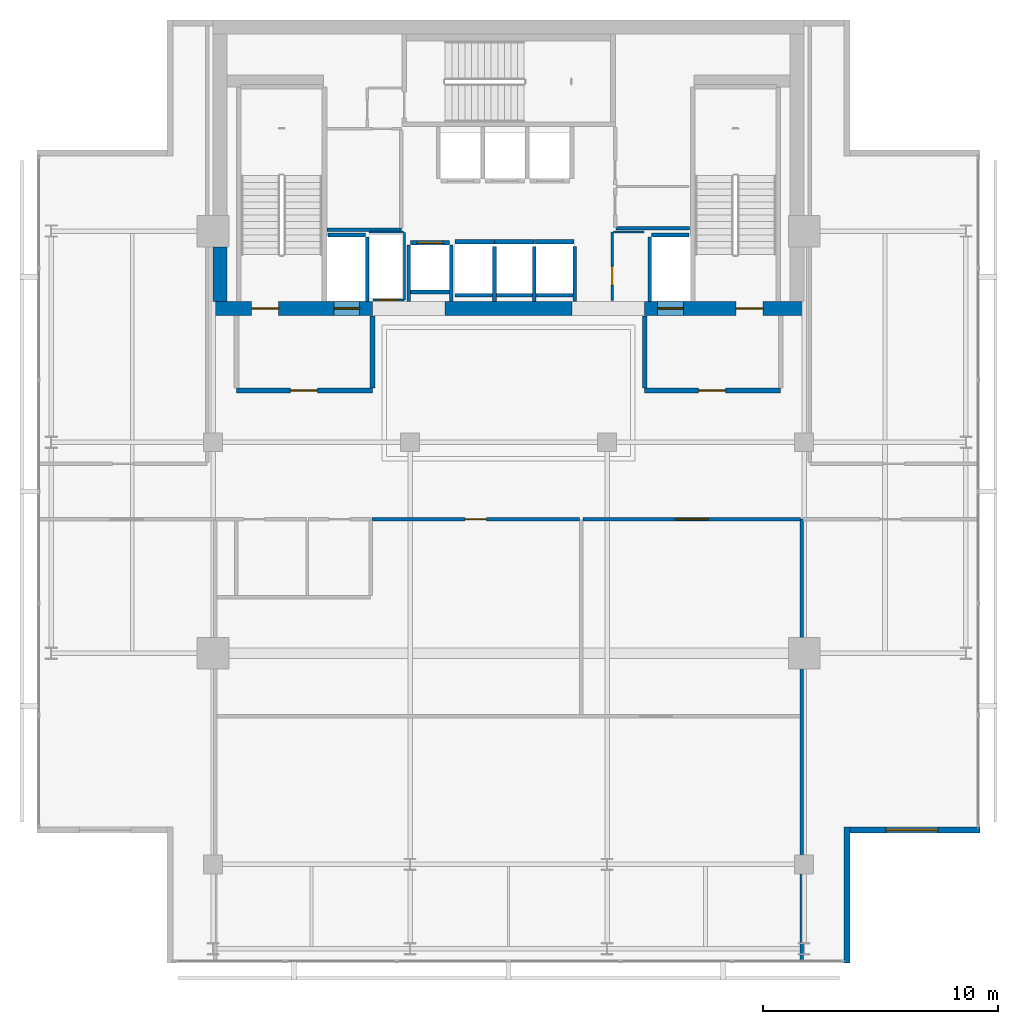
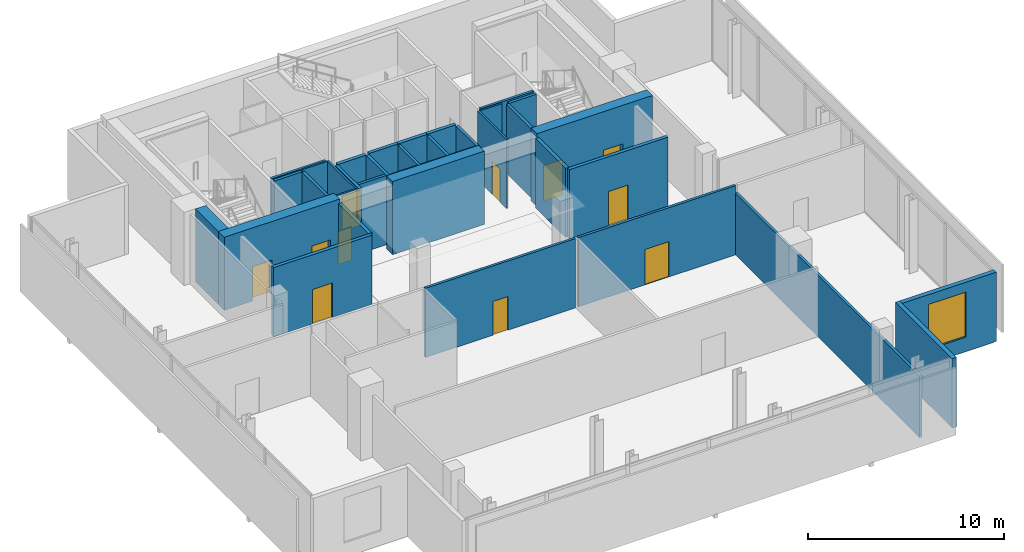
# One storey, part 17 of 23: 35 walls, 11 doors, 1 window, 12 openings.
"""IFC4 building model written with IfcOpenShell, lengths in metres."""

from ifc_helpers import new_model, si_unit, direction, frame, frame_2d, origin, place, context, subcontext, project, spatial, rectangle, extrude, material, layer, layer_set, type_object, element, fill, save


model = new_model("IFC4")

# Units and contexts
model_context = context("Model", 3, precision=1e-05, world=origin(), true_north=direction((0.0, 1.0)))
body_context = subcontext(model_context, "Body", "Model", "MODEL_VIEW")
ifc_project = project(units=[si_unit("LENGTHUNIT", "METRE"), si_unit("AREAUNIT", "SQUARE_METRE"), si_unit("VOLUMEUNIT", "CUBIC_METRE"), si_unit("PLANEANGLEUNIT", "RADIAN"), si_unit("MASSUNIT", "GRAM", prefix="KILO")], contexts=[model_context])

# Site, building, storey
site_placement = place(None, origin())
site = spatial("IfcSite", under=ifc_project, at=site_placement, CompositionType="ELEMENT")
building_placement = place(site_placement, origin())
building = spatial("IfcBuilding", under=site, at=building_placement, Name="Maruvema Waterfront Hotel and Observation Tower", CompositionType="ELEMENT")
storey_placement = place(building_placement, frame((0.0, 0.0, 345.10009765625)))
storey = spatial("IfcBuildingStorey", under=building, at=storey_placement, Name="L85", CompositionType="ELEMENT", Elevation=345.10009765625)

# Walls
ifc_material_1 = material(Name="Twin-stud acoustic gypsum drywall", Category="gypsum")
ifc_layer_1 = layer(ifc_material_1, 0.14990234375, Name="Acoustic Corridor and Suite Demising Wall 150 mm")
ifc_layer_set_1 = layer_set([ifc_layer_1], Name="Twin-stud acoustic gypsum drywall")
wall_type_1 = type_object("IfcWallType", Name="Acoustic Corridor and Suite Demising Wall 150 mm", PredefinedType="PARTITIONING", material=ifc_layer_set_1)
wall_1_placement = place(storey_placement, frame((30.06005859375, 45.06005859375, 0.0), z_axis=(0.0, 0.0, 1.0), x_axis=(1.0, 0.0, 0.0)))
element("IfcWall", 1, at=wall_1_placement, inside=storey, type_object=wall_type_1, Name="L85 Freed B1 South Wall 012", PredefinedType="PARTITIONING", context=body_context, shape_type="SweptSolid", body=[
    extrude(rectangle(XDim=3.179931640625, YDim=0.14990234375, at=frame_2d((1.58984375, 0.0))), origin(), (0.0, 0.0, 1.0), 4.309814453125),
])
wall_2_placement = place(storey_placement, frame((42.3798828125, 45.1201171875, 0.0), z_axis=(0.0, 0.0, 1.0), x_axis=(1.0, 0.0, 0.0)))
element("IfcWall", 2, at=wall_2_placement, inside=storey, type_object=wall_type_1, Name="L85 Freed B2 South Wall 020", PredefinedType="PARTITIONING", context=body_context, shape_type="SweptSolid", body=[
    extrude(rectangle(XDim=3.14013671875, YDim=0.14990234375, at=frame_2d((1.570068359375, 0.0))), origin(), (0.0, 0.0, 1.0), 4.309814453125),
])
wall_3_placement = place(storey_placement, frame((50.300048828125, 13.8798828125, 0.0), z_axis=(0.0, 0.0, 1.0), x_axis=(0.0, 1.0, 0.0)))
element("IfcWall", 3, at=wall_3_placement, inside=storey, type_object=wall_type_1, Name="L85 L85 East Spine 030", PredefinedType="PARTITIONING", context=body_context, shape_type="SweptSolid", body=[
    extrude(rectangle(XDim=18.840087890625, YDim=0.14990234375, at=frame_2d((9.419921875, 0.0))), origin(), (0.0, 0.0, 1.0), 3.8408203125),
])

# Wall, opening, door
wall_4_placement = place(storey_placement, frame((31.97998046875, 32.719970703125, 0.0), z_axis=(0.0, 0.0, 1.0), x_axis=(1.0, 0.0, 0.0)))
wall_4 = element("IfcWall", 4, at=wall_4_placement, inside=storey, type_object=wall_type_1, Name="L85 L85 Wine North 032", PredefinedType="PARTITIONING", context=body_context, shape_type="SweptSolid", body=[
    extrude(rectangle(XDim=8.840087890625, YDim=0.14990234375, at=frame_2d((4.419921875, 0.0))), origin(), (0.0, 0.0, 1.0), 4.309814453125),
])
opening_1_placement = place(wall_4_placement, frame((3.969970703125, 0.0, 0.0)))
opening_1 = element("IfcOpeningElement", 5, at=opening_1_placement, cuts=wall_4, Name="Opening DR-090", PredefinedType="OPENING", context=body_context, shape_type="SweptSolid", body=[
    extrude(rectangle(XDim=0.89990234375, YDim=2.10009765625, at=frame_2d((0.449951171875, 1.050048828125))), frame((0.0, 0.0849609375, 0.0), z_axis=(0.0, -1.0, 0.0), x_axis=(1.0, 0.0, 0.0)), (0.0, 0.0, 1.0), 0.169921875),
])
ifc_material_2 = material(Name="Solid-core lacquered timber leaf", Category="wood")
door_type_1 = type_object("IfcDoorType", Name="Accessible Toilet and Room Door 900x2100 mm", OperationType="NOTDEFINED", PredefinedType="DOOR", material=ifc_material_2)
door_1_placement = place(opening_1_placement, origin())
door_1 = element("IfcDoor", 6, at=door_1_placement, inside=storey, type_object=door_type_1, Name="L85 Wine Cellar Door", OperationType="SINGLE_SWING_RIGHT", OverallHeight=2.10009765625, OverallWidth=0.89990234375, PredefinedType="DOOR", context=body_context, shape_type="SweptSolid", body=[
    extrude(rectangle(XDim=0.89990234375, YDim=2.10009765625, at=frame_2d((0.449951171875, 1.050048828125))), frame((0.0, 0.02490234375, 0.0), z_axis=(0.0, -1.0, 0.0), x_axis=(1.0, 0.0, 0.0)), (0.0, 0.0, 1.0), 0.050048828125),
])
fill(opening_1, door_1)

wall_5_placement = place(storey_placement, frame((40.97998046875, 32.719970703125, 0.0), z_axis=(0.0, 0.0, 1.0), x_axis=(1.0, 0.0, 0.0)))
wall_5 = element("IfcWall", 7, at=wall_5_placement, inside=storey, type_object=wall_type_1, Name="L85 L85 Tasting North 033", PredefinedType="PARTITIONING", context=body_context, shape_type="SweptSolid", body=[
    extrude(rectangle(XDim=9.27001953125, YDim=0.14990234375, at=frame_2d((4.635009765625, 0.0))), origin(), (0.0, 0.0, 1.0), 4.309814453125),
])
opening_2_placement = place(wall_5_placement, frame((3.93505859375, 0.0, 0.0)))
opening_2 = element("IfcOpeningElement", 8, at=opening_2_placement, cuts=wall_5, Name="Opening DR-140", PredefinedType="OPENING", context=body_context, shape_type="SweptSolid", body=[
    extrude(rectangle(XDim=1.39990234375, YDim=2.199951171875, at=frame_2d((0.699951171875, 1.10009765625))), frame((0.0, 0.0849609375, 0.0), z_axis=(0.0, -1.0, 0.0), x_axis=(1.0, 0.0, 0.0)), (0.0, 0.0, 1.0), 0.169921875),
])
ifc_material_3 = material(Name="Anodised bronze framed acoustic glass leaf", Category="glass")
door_type_2 = type_object("IfcDoorType", Name="Conference and Restaurant Double Door 1400x2200 mm", OperationType="DOUBLE_DOOR_SINGLE_SWING", PredefinedType="DOOR", material=ifc_material_3)
door_2_placement = place(opening_2_placement, origin())
door_2 = element("IfcDoor", 9, at=door_2_placement, inside=storey, type_object=door_type_2, Name="L85 Chef Tasting Door", OperationType="DOUBLE_DOOR_SINGLE_SWING", OverallHeight=2.199951171875, OverallWidth=1.39990234375, PredefinedType="DOOR", context=body_context, shape_type="SweptSolid", body=[
    extrude(rectangle(XDim=1.39990234375, YDim=2.199951171875, at=frame_2d((0.699951171875, 1.10009765625))), frame((0.0, 0.02490234375, 0.0), z_axis=(0.0, -1.0, 0.0), x_axis=(1.0, 0.0, 0.0)), (0.0, 0.0, 1.0), 0.050048828125),
])
fill(opening_2, door_2)

# Walls
ifc_material_4 = material(Name="Precast concrete C45/55", Category="concrete")
ifc_layer_2 = layer(ifc_material_4, 0.199951171875, Name="Core Shaft and Stairwell Enclosure Wall 200 mm")
ifc_layer_set_2 = layer_set([ifc_layer_2], Name="Precast concrete C45/55")
wall_type_2 = type_object("IfcWallType", Name="Core Shaft and Stairwell Enclosure Wall 200 mm", PredefinedType="SOLIDWALL", material=ifc_layer_set_2)
for number, where, z_axis, x_axis, name in (
    (10, (35.510009765625, 44.550048828125, 0.0), (0.0, 0.0, 1.0), (1.0, 0.0, 0.0), "L85 Lift LF-09 Hoistway Front Wall"),
    (11, (37.2099609375, 44.550048828125, 0.0), (0.0, 0.0, 1.0), (1.0, 0.0, 0.0), "L85 Lift LF-10 Hoistway Front Wall"),
):
    element("IfcWall", number, at=place(storey_placement, frame(where, z_axis=z_axis, x_axis=x_axis)), inside=storey, type_object=wall_type_2, Name=name, PredefinedType="SOLIDWALL", context=body_context, shape_type="SweptSolid", body=[
        extrude(rectangle(XDim=1.679931640625, YDim=0.199951171875, at=frame_2d((0.83984375, 0.0))), origin(), (0.0, 0.0, 1.0), 4.309814453125),
    ])
wall_6_placement = place(storey_placement, frame((38.909912109375, 44.550048828125, 0.0), z_axis=(0.0, 0.0, 1.0), x_axis=(1.0, 0.0, 0.0)))
element("IfcWall", 12, at=wall_6_placement, inside=storey, type_object=wall_type_2, Name="L85 Lift LF-11 Hoistway Front Wall", PredefinedType="SOLIDWALL", context=body_context, shape_type="SweptSolid", body=[
    extrude(rectangle(XDim=1.68017578125, YDim=0.199951171875, at=frame_2d((0.840087890625, 0.0))), origin(), (0.0, 0.0, 1.0), 4.309814453125),
])

# Wall, opening, door
wall_7_placement = place(storey_placement, frame((33.610107421875, 44.5, 0.0), z_axis=(0.0, 0.0, 1.0), x_axis=(1.0, 0.0, 0.0)))
wall_7 = element("IfcWall", 13, at=wall_7_placement, inside=storey, type_object=wall_type_2, Name="L85 Lift LF-15 Hoistway Front Wall", PredefinedType="SOLIDWALL", context=body_context, shape_type="SweptSolid", body=[
    extrude(rectangle(XDim=1.679931640625, YDim=0.199951171875, at=frame_2d((0.83984375, 0.0))), origin(), (0.0, 0.0, 1.0), 4.309814453125),
])
opening_3_placement = place(wall_7_placement, frame((0.2900390625, 0.0, 0.0)))
opening_3 = element("IfcOpeningElement", 14, at=opening_3_placement, cuts=wall_7, Name="Opening LD-02", PredefinedType="OPENING", context=body_context, shape_type="SweptSolid", body=[
    extrude(rectangle(XDim=1.10009765625, YDim=2.199951171875, at=frame_2d((0.550048828125, 1.10009765625))), frame((0.0, 0.10986328125, 0.0), z_axis=(0.0, -1.0, 0.0), x_axis=(1.0, 0.0, 0.0)), (0.0, 0.0, 1.0), 0.219970703125),
])
ifc_material_5 = material(Name="Brushed stainless steel Grade 316", Category="steel")
door_type_3 = type_object("IfcDoorType", Name="Shuttle Lift Sliding Landing Door 1100x2200 mm", OperationType="SLIDING_TO_RIGHT", PredefinedType="DOOR", material=ifc_material_5)
door_3_placement = place(opening_3_placement, origin())
door_3 = element("IfcDoor", 15, at=door_3_placement, inside=storey, type_object=door_type_3, Name="L85 Lift LF-15 Sliding Landing Door", OperationType="SLIDING_TO_RIGHT", OverallHeight=2.199951171875, OverallWidth=1.10009765625, PredefinedType="DOOR", context=body_context, shape_type="SweptSolid", body=[
    extrude(rectangle(XDim=1.10009765625, YDim=2.199951171875, at=frame_2d((0.550048828125, 1.10009765625))), frame((0.0, 0.02490234375, 0.0), z_axis=(0.0, -1.0, 0.0), x_axis=(1.0, 0.0, 0.0)), (0.0, 0.0, 1.0), 0.050048828125),
])
fill(opening_3, door_3)

# Wall, openings, doors
ifc_material_6 = material(Name="Concrete C60/75", Category="concrete")
ifc_layer_3 = layer(ifc_material_6, 0.60009765625, Name="Core Shear Wall 600 mm")
ifc_layer_set_3 = layer_set([ifc_layer_3], Name="Concrete C60/75")
wall_type_3 = type_object("IfcWallType", Name="Core Shear Wall 600 mm", PredefinedType="SHEAR", material=ifc_layer_set_3)
wall_8_placement = place(storey_placement, frame((25.199951171875, 41.699951171875, 0.0), z_axis=(0.0, 0.0, 1.0), x_axis=(1.0, 0.0, 0.0)))
wall_8 = element("IfcWall", 16, at=wall_8_placement, inside=storey, type_object=wall_type_3, Name="L85 South-West Core Shear Wall", PredefinedType="SHEAR", context=body_context, shape_type="SweptSolid", body=[
    extrude(rectangle(XDim=6.800048828125, YDim=0.60009765625, at=frame_2d((3.39990234375, 0.0))), origin(), (0.0, 0.0, 1.0), 4.5498046875),
])
opening_4_placement = place(wall_8_placement, frame((1.64990234375, 0.0, 0.0)))
opening_4 = element("IfcOpeningElement", 17, at=opening_4_placement, cuts=wall_8, Name="Opening SD-01", PredefinedType="OPENING", context=body_context, shape_type="SweptSolid", body=[
    extrude(rectangle(XDim=1.14990234375, YDim=2.14990234375, at=frame_2d((0.574951171875, 1.074951171875))), frame((0.0, 0.31005859375, 0.0), z_axis=(0.0, -1.0, 0.0), x_axis=(1.0, 0.0, 0.0)), (0.0, 0.0, 1.0), 0.6201171875),
])
opening_5_placement = place(wall_8_placement, frame((5.14990234375, 0.0, 0.0)))
opening_5 = element("IfcOpeningElement", 18, at=opening_5_placement, cuts=wall_8, Name="Opening LD-03", PredefinedType="OPENING", context=body_context, shape_type="SweptSolid", body=[
    extrude(rectangle(XDim=1.10009765625, YDim=2.199951171875, at=frame_2d((0.550048828125, 1.10009765625))), frame((0.0, 0.31005859375, 0.0), z_axis=(0.0, -1.0, 0.0), x_axis=(1.0, 0.0, 0.0)), (0.0, 0.0, 1.0), 0.6201171875),
])
ifc_material_7 = material(Name="Fire-rated galvanised steel leaf", Category="steel")
door_type_4 = type_object("IfcDoorType", Name="Exit Stair Fire Door 1150x2150 mm", OperationType="NOTDEFINED", PredefinedType="DOOR", material=ifc_material_7)
door_4_placement = place(opening_4_placement, origin())
door_4 = element("IfcDoor", 19, at=door_4_placement, inside=storey, type_object=door_type_4, Name="L85 Exit Stair ST-01 Fire Door", OperationType="SINGLE_SWING_LEFT", OverallHeight=2.14990234375, OverallWidth=1.14990234375, PredefinedType="DOOR", context=body_context, shape_type="SweptSolid", body=[
    extrude(rectangle(XDim=1.14990234375, YDim=2.14990234375, at=frame_2d((0.574951171875, 1.074951171875))), frame((0.0, 0.02490234375, 0.0), z_axis=(0.0, -1.0, 0.0), x_axis=(1.0, 0.0, 0.0)), (0.0, 0.0, 1.0), 0.050048828125),
])
fill(opening_4, door_4)
ifc_material_8 = material(Name="Brushed stainless steel Grade 316", Category="steel")
door_type_5 = type_object("IfcDoorType", Name="Firefighting Lift Sliding Landing Door 1100x2200 mm", OperationType="SLIDING_TO_LEFT", PredefinedType="DOOR", material=ifc_material_8)
door_5_placement = place(opening_5_placement, frame((1.10009765625, 0.0, 0.0), z_axis=(0.0, 0.0, 1.0), x_axis=(-1.0, 0.0, 0.0)))
door_5 = element("IfcDoor", 20, at=door_5_placement, inside=storey, type_object=door_type_5, Name="L85 Firefighting Lift FL-01 Landing Door", OperationType="SLIDING_TO_LEFT", OverallHeight=2.199951171875, OverallWidth=1.10009765625, PredefinedType="DOOR", context=body_context, shape_type="SweptSolid", body=[
    extrude(rectangle(XDim=1.10009765625, YDim=2.199951171875, at=frame_2d((0.550048828125, 1.10009765625))), frame((0.0, 0.02490234375, 0.0), z_axis=(0.0, -1.0, 0.0), x_axis=(1.0, 0.0, 0.0)), (0.0, 0.0, 1.0), 0.050048828125),
])
fill(opening_5, door_5)

# Wall
wall_9_placement = place(storey_placement, frame((35.10009765625, 41.699951171875, 0.0), z_axis=(0.0, 0.0, 1.0), x_axis=(1.0, 0.0, 0.0)))
element("IfcWall", 21, at=wall_9_placement, inside=storey, type_object=wall_type_3, Name="L85 South-Central Core Shear Wall", PredefinedType="SHEAR", context=body_context, shape_type="SweptSolid", body=[
    extrude(rectangle(XDim=5.39990234375, YDim=0.60009765625, at=frame_2d((2.699951171875, 0.0))), origin(), (0.0, 0.0, 1.0), 4.5498046875),
])

# Wall, openings, doors
wall_10_placement = place(storey_placement, frame((43.60009765625, 41.699951171875, 0.0), z_axis=(0.0, 0.0, 1.0), x_axis=(1.0, 0.0, 0.0)))
wall_10 = element("IfcWall", 22, at=wall_10_placement, inside=storey, type_object=wall_type_3, Name="L85 South-East Core Shear Wall", PredefinedType="SHEAR", context=body_context, shape_type="SweptSolid", body=[
    extrude(rectangle(XDim=6.7998046875, YDim=0.60009765625, at=frame_2d((3.39990234375, 0.0))), origin(), (0.0, 0.0, 1.0), 4.5498046875),
])
opening_6_placement = place(wall_10_placement, frame((3.89990234375, 0.0, 0.0)))
opening_6 = element("IfcOpeningElement", 23, at=opening_6_placement, cuts=wall_10, Name="Opening SD-01", PredefinedType="OPENING", context=body_context, shape_type="SweptSolid", body=[
    extrude(rectangle(XDim=1.14990234375, YDim=2.14990234375, at=frame_2d((0.574951171875, 1.074951171875))), frame((0.0, 0.31005859375, 0.0), z_axis=(0.0, -1.0, 0.0), x_axis=(1.0, 0.0, 0.0)), (0.0, 0.0, 1.0), 0.6201171875),
])
opening_7_placement = place(wall_10_placement, frame((0.550048828125, 0.0, 0.0)))
opening_7 = element("IfcOpeningElement", 24, at=opening_7_placement, cuts=wall_10, Name="Opening LD-03", PredefinedType="OPENING", context=body_context, shape_type="SweptSolid", body=[
    extrude(rectangle(XDim=1.10009765625, YDim=2.199951171875, at=frame_2d((0.550048828125, 1.10009765625))), frame((0.0, 0.31005859375, 0.0), z_axis=(0.0, -1.0, 0.0), x_axis=(1.0, 0.0, 0.0)), (0.0, 0.0, 1.0), 0.6201171875),
])
door_6_placement = place(opening_6_placement, origin())
door_6 = element("IfcDoor", 25, at=door_6_placement, inside=storey, type_object=door_type_4, Name="L85 Exit Stair ST-03 Fire Door", OperationType="SINGLE_SWING_RIGHT", OverallHeight=2.14990234375, OverallWidth=1.14990234375, PredefinedType="DOOR", context=body_context, shape_type="SweptSolid", body=[
    extrude(rectangle(XDim=1.14990234375, YDim=2.14990234375, at=frame_2d((0.574951171875, 1.074951171875))), frame((0.0, 0.02490234375, 0.0), z_axis=(0.0, -1.0, 0.0), x_axis=(1.0, 0.0, 0.0)), (0.0, 0.0, 1.0), 0.050048828125),
])
fill(opening_6, door_6)
door_7_placement = place(opening_7_placement, frame((1.10009765625, 0.0, 0.0), z_axis=(0.0, 0.0, 1.0), x_axis=(-1.0, 0.0, 0.0)))
door_7 = element("IfcDoor", 26, at=door_7_placement, inside=storey, type_object=door_type_5, Name="L85 Firefighting Lift FL-02 Landing Door", OperationType="SLIDING_TO_LEFT", OverallHeight=2.199951171875, OverallWidth=1.10009765625, PredefinedType="DOOR", context=body_context, shape_type="SweptSolid", body=[
    extrude(rectangle(XDim=1.10009765625, YDim=2.199951171875, at=frame_2d((0.550048828125, 1.10009765625))), frame((0.0, 0.02490234375, 0.0), z_axis=(0.0, -1.0, 0.0), x_axis=(1.0, 0.0, 0.0)), (0.0, 0.0, 1.0), 0.050048828125),
])
fill(opening_7, door_7)

# Wall
wall_11_placement = place(storey_placement, frame((25.5, 42.0, 0.0), z_axis=(0.0, 0.0, 1.0), x_axis=(0.0, 1.0, 0.0)))
element("IfcWall", 27, at=wall_11_placement, inside=storey, type_object=wall_type_3, Name="L85 West-South Core Shear Wall", PredefinedType="SHEAR", context=body_context, shape_type="SweptSolid", body=[
    extrude(rectangle(XDim=2.324951171875, YDim=0.60009765625, at=frame_2d((1.16259765625, 0.0))), origin(), (0.0, 0.0, 1.0), 4.5498046875),
])

# Wall, opening, door
ifc_material_9 = material(Name="Moisture-resistant cement-board drywall", Category="gypsum")
ifc_layer_4 = layer(ifc_material_9, 0.10009765625, Name="En-Suite Moisture-Resistant Partition 100 mm")
ifc_layer_set_4 = layer_set([ifc_layer_4], Name="Moisture-resistant cement-board drywall")
wall_type_4 = type_object("IfcWallType", Name="En-Suite Moisture-Resistant Partition 100 mm", PredefinedType="PARTITIONING", material=ifc_layer_set_4)
wall_12_placement = place(storey_placement, frame((32.02001953125, 42.06005859375, 0.0), z_axis=(0.0, 0.0, 1.0), x_axis=(1.0, 0.0, 0.0)))
wall_12 = element("IfcWall", 28, at=wall_12_placement, inside=storey, type_object=wall_type_4, Name="L85 Telecom Riser South Wall 007", PredefinedType="PARTITIONING", context=body_context, shape_type="SweptSolid", body=[
    extrude(rectangle(XDim=1.320068359375, YDim=0.10009765625, at=frame_2d((0.66015625, 0.0))), origin(), (0.0, 0.0, 1.0), 4.309814453125),
])
opening_8_placement = place(wall_12_placement, frame((0.239990234375, 0.0, 0.0)))
opening_8 = element("IfcOpeningElement", 29, at=opening_8_placement, cuts=wall_12, Name="Opening DR-080", PredefinedType="OPENING", context=body_context, shape_type="SweptSolid", body=[
    extrude(rectangle(XDim=0.800048828125, YDim=2.050048828125, at=frame_2d((0.39990234375, 1.02490234375))), frame((0.0, 0.06005859375, 0.0), z_axis=(0.0, -1.0, 0.0), x_axis=(1.0, 0.0, 0.0)), (0.0, 0.0, 1.0), 0.1201171875),
])
ifc_material_10 = material(Name="Powder-coated steel access leaf", Category="steel")
door_type_6 = type_object("IfcDoorType", Name="Riser and Service Cupboard Door 800x2050 mm", OperationType="NOTDEFINED", PredefinedType="DOOR", material=ifc_material_10)
door_8_placement = place(opening_8_placement, frame((0.800048828125, 0.0, 0.0), z_axis=(0.0, 0.0, 1.0), x_axis=(-1.0, 0.0, 0.0)))
door_8 = element("IfcDoor", 30, at=door_8_placement, inside=storey, type_object=door_type_6, Name="L85 Telecom Riser Door", OperationType="SINGLE_SWING_RIGHT", OverallHeight=2.050048828125, OverallWidth=0.800048828125, PredefinedType="DOOR", context=body_context, shape_type="SweptSolid", body=[
    extrude(rectangle(XDim=0.800048828125, YDim=2.050048828125, at=frame_2d((0.39990234375, 1.02490234375))), frame((0.0, 0.02490234375, 0.0), z_axis=(0.0, -1.0, 0.0), x_axis=(1.0, 0.0, 0.0)), (0.0, 0.0, 1.0), 0.050048828125),
])
fill(opening_8, door_8)

# Walls
wall_13_placement = place(storey_placement, frame((31.840087890625, 44.9599609375, 0.0), z_axis=(0.0, 0.0, 1.0), x_axis=(1.0, 0.0, 0.0)))
element("IfcWall", 31, at=wall_13_placement, inside=storey, type_object=wall_type_4, Name="L85 Telecom Riser North Wall 008", PredefinedType="PARTITIONING", context=body_context, shape_type="SweptSolid", body=[
    extrude(rectangle(XDim=1.47998046875, YDim=0.10009765625, at=frame_2d((0.739990234375, 0.0))), origin(), (0.0, 0.0, 1.0), 4.309814453125),
])
wall_14_placement = place(storey_placement, frame((33.360107421875, 42.06005859375, 0.0), z_axis=(0.0, 0.0, 1.0), x_axis=(0.0, 1.0, 0.0)))
element("IfcWall", 32, at=wall_14_placement, inside=storey, type_object=wall_type_4, Name="L85 Telecom Riser East Wall 009", PredefinedType="PARTITIONING", context=body_context, shape_type="SweptSolid", body=[
    extrude(rectangle(XDim=2.8798828125, YDim=0.10009765625, at=frame_2d((1.43994140625, 0.0))), origin(), (0.0, 0.0, 1.0), 4.309814453125),
])

# Wall, opening, door
wall_15_placement = place(storey_placement, frame((42.219970703125, 42.050048828125, 0.0), z_axis=(0.0, 0.0, 1.0), x_axis=(0.0, 1.0, 0.0)))
wall_15 = element("IfcWall", 33, at=wall_15_placement, inside=storey, type_object=wall_type_4, Name="L85 Core Closet K1 West 010", PredefinedType="PARTITIONING", context=body_context, shape_type="SweptSolid", body=[
    extrude(rectangle(XDim=2.909912109375, YDim=0.10009765625, at=frame_2d((1.455078125, 0.0))), origin(), (0.0, 0.0, 1.0), 4.309814453125),
])
opening_9_placement = place(wall_15_placement, frame((0.64990234375, 0.0, 0.0)))
opening_9 = element("IfcOpeningElement", 34, at=opening_9_placement, cuts=wall_15, Name="Opening DR-080", PredefinedType="OPENING", context=body_context, shape_type="SweptSolid", body=[
    extrude(rectangle(XDim=0.800048828125, YDim=2.050048828125, at=frame_2d((0.39990234375, 1.02490234375))), frame((0.0, 0.06005859375, 0.0), z_axis=(0.0, -1.0, 0.0), x_axis=(1.0, 0.0, 0.0)), (0.0, 0.0, 1.0), 0.1201171875),
])
door_9_placement = place(opening_9_placement, frame((0.800048828125, 0.0, 0.0), z_axis=(0.0, 0.0, 1.0), x_axis=(-1.0, 0.0, 0.0)))
door_9 = element("IfcDoor", 35, at=door_9_placement, inside=storey, type_object=door_type_6, Name="L85 Core Cleaning Store Door", OperationType="SINGLE_SWING_LEFT", OverallHeight=2.050048828125, OverallWidth=0.800048828125, PredefinedType="DOOR", context=body_context, shape_type="SweptSolid", body=[
    extrude(rectangle(XDim=0.800048828125, YDim=2.050048828125, at=frame_2d((0.39990234375, 1.02490234375))), frame((0.0, 0.02490234375, 0.0), z_axis=(0.0, -1.0, 0.0), x_axis=(1.0, 0.0, 0.0)), (0.0, 0.0, 1.0), 0.050048828125),
])
fill(opening_9, door_9)

# Walls
wall_16_placement = place(storey_placement, frame((42.280029296875, 44.9599609375, 0.0), z_axis=(0.0, 0.0, 1.0), x_axis=(1.0, 0.0, 0.0)))
element("IfcWall", 36, at=wall_16_placement, inside=storey, type_object=wall_type_4, Name="L85 Core Closet K1 North 011", PredefinedType="PARTITIONING", context=body_context, shape_type="SweptSolid", body=[
    extrude(rectangle(XDim=1.300048828125, YDim=0.10009765625, at=frame_2d((0.64990234375, 0.0))), origin(), (0.0, 0.0, 1.0), 4.309814453125),
])
ifc_material_11 = material(Name="Precast concrete C45/55 with honed Pernambuco granite facing", Category="masonry")
ifc_layer_5 = layer(ifc_material_11, 0.260009765625, Name="Exterior Granite Clad Spandrel and Pier Wall 260 mm")
ifc_layer_set_5 = layer_set([ifc_layer_5], Name="Precast concrete C45/55 with honed Pernambuco granite facing")
wall_type_5 = type_object("IfcWallType", Name="Exterior Granite Clad Spandrel and Pier Wall 260 mm", PredefinedType="SOLIDWALL", material=ifc_layer_set_5)
wall_17_placement = place(storey_placement, frame((52.22998046875, 19.60009765625, 0.0), z_axis=(0.0, 0.0, 1.0), x_axis=(0.0, -1.0, 0.0)))
element("IfcWall", 37, at=wall_17_placement, inside=storey, type_object=wall_type_5, Name="L85 Corner Notch Granite Pier Wall SE1", PredefinedType="SOLIDWALL", context=body_context, shape_type="SweptSolid", body=[
    extrude(rectangle(XDim=5.800048828125, YDim=0.260009765625, at=frame_2d((2.89990234375, 0.0))), origin(), (0.0, 0.0, 1.0), 4.309814453125),
])

# Wall, opening, window
wall_18_placement = place(storey_placement, frame((57.89990234375, 19.469970703125, 0.0), z_axis=(0.0, 0.0, 1.0), x_axis=(-1.0, 0.0, 0.0)))
wall_18 = element("IfcWall", 38, at=wall_18_placement, inside=storey, type_object=wall_type_5, Name="L85 Corner Notch Granite Pier Wall SE2", PredefinedType="SOLIDWALL", context=body_context, shape_type="SweptSolid", body=[
    extrude(rectangle(XDim=5.7998046875, YDim=0.260009765625, at=frame_2d((2.89990234375, 0.0))), origin(), (0.0, 0.0, 1.0), 4.309814453125),
])
opening_10_placement = place(wall_18_placement, frame((1.800048828125, 0.0, 0.89990234375)))
opening_10 = element("IfcOpeningElement", 39, at=opening_10_placement, cuts=wall_18, Name="Opening WN-05", PredefinedType="OPENING", context=body_context, shape_type="SweptSolid", body=[
    extrude(rectangle(XDim=2.199951171875, YDim=2.800048828125, at=frame_2d((1.10009765625, 1.39990234375))), frame((0.0, 0.14013671875, 0.0), z_axis=(0.0, -1.0, 0.0), x_axis=(1.0, 0.0, 0.0)), (0.0, 0.0, 1.0), 0.280029296875),
])
ifc_material_12 = material(Name="Anodised bronze aluminium frame with laminated low-E glass", Category="aluminium")
window_type = type_object("IfcWindowType", Name="Crown Gallery Observation Window 2200x2800 mm", PartitioningType="SINGLE_PANEL", PredefinedType="WINDOW", material=ifc_material_12)
window_placement = place(opening_10_placement, origin())
window = element("IfcWindow", 40, at=window_placement, inside=storey, type_object=window_type, Name="L85 Corner Notch Punched Window SE2", OverallHeight=2.800048828125, OverallWidth=2.199951171875, PartitioningType="SINGLE_PANEL", PredefinedType="WINDOW", context=body_context, shape_type="SweptSolid", body=[
    extrude(rectangle(XDim=2.199951171875, YDim=2.800048828125, at=frame_2d((1.10009765625, 1.39990234375))), frame((0.0, 0.030029296875, 0.0), z_axis=(0.0, -1.0, 0.0), x_axis=(1.0, 0.0, 0.0)), (0.0, 0.0, 1.0), 0.06005859375),
])
fill(opening_10, window)

# Wall, opening, door
ifc_material_13 = material(Name="Autoclaved cellular concrete blockwork", Category="masonry")
ifc_layer_6 = layer(ifc_material_13, 0.199951171875, Name="Fire Compartment Masonry Wall 200 mm")
ifc_layer_set_6 = layer_set([ifc_layer_6], Name="Autoclaved cellular concrete blockwork")
wall_type_6 = type_object("IfcWallType", Name="Fire Compartment Masonry Wall 200 mm", PredefinedType="PARTITIONING", material=ifc_layer_set_6)
wall_19_placement = place(storey_placement, frame((26.199951171875, 38.199951171875, 0.0), z_axis=(0.0, 0.0, 1.0), x_axis=(1.0, 0.0, 0.0)))
wall_19 = element("IfcWall", 41, at=wall_19_placement, inside=storey, type_object=wall_type_6, Name="L85 FFL West South Wall 001", PredefinedType="PARTITIONING", context=body_context, shape_type="SweptSolid", body=[
    extrude(rectangle(XDim=5.800048828125, YDim=0.199951171875, at=frame_2d((2.89990234375, 0.0))), origin(), (0.0, 0.0, 1.0), 4.309814453125),
])
opening_11_placement = place(wall_19_placement, frame((2.300048828125, 0.0, 0.0)))
opening_11 = element("IfcOpeningElement", 42, at=opening_11_placement, cuts=wall_19, Name="Opening FD-115", PredefinedType="OPENING", context=body_context, shape_type="SweptSolid", body=[
    extrude(rectangle(XDim=1.14990234375, YDim=2.14990234375, at=frame_2d((0.574951171875, 1.074951171875))), frame((0.0, 0.10986328125, 0.0), z_axis=(0.0, -1.0, 0.0), x_axis=(1.0, 0.0, 0.0)), (0.0, 0.0, 1.0), 0.219970703125),
])
ifc_material_14 = material(Name="Fire-rated galvanised steel and vision glass", Category="steel")
door_type_7 = type_object("IfcDoorType", Name="Firefighting Lobby Fire Door 1150x2150 mm", OperationType="NOTDEFINED", PredefinedType="DOOR", material=ifc_material_14)
door_10_placement = place(opening_11_placement, frame((1.14990234375, 0.0, 0.0), z_axis=(0.0, 0.0, 1.0), x_axis=(-1.0, 0.0, 0.0)))
door_10 = element("IfcDoor", 43, at=door_10_placement, inside=storey, type_object=door_type_7, Name="L85 Firefighting Lobby West Door", OperationType="SINGLE_SWING_RIGHT", OverallHeight=2.14990234375, OverallWidth=1.14990234375, PredefinedType="DOOR", context=body_context, shape_type="SweptSolid", body=[
    extrude(rectangle(XDim=1.14990234375, YDim=2.14990234375, at=frame_2d((0.574951171875, 1.074951171875))), frame((0.0, 0.02490234375, 0.0), z_axis=(0.0, -1.0, 0.0), x_axis=(1.0, 0.0, 0.0)), (0.0, 0.0, 1.0), 0.050048828125),
])
fill(opening_11, door_10)

# Wall
wall_20_placement = place(storey_placement, frame((32.0, 38.31005859375, 0.0), z_axis=(0.0, 0.0, 1.0), x_axis=(0.0, 1.0, 0.0)))
element("IfcWall", 44, at=wall_20_placement, inside=storey, type_object=wall_type_6, Name="L85 FFL West East Wall 003", PredefinedType="PARTITIONING", context=body_context, shape_type="SweptSolid", body=[
    extrude(rectangle(XDim=3.06982421875, YDim=0.199951171875, at=frame_2d((1.534912109375, 0.0))), origin(), (0.0, 0.0, 1.0), 4.309814453125),
])

# Wall, opening, door
wall_21_placement = place(storey_placement, frame((43.60009765625, 38.199951171875, 0.0), z_axis=(0.0, 0.0, 1.0), x_axis=(1.0, 0.0, 0.0)))
wall_21 = element("IfcWall", 45, at=wall_21_placement, inside=storey, type_object=wall_type_6, Name="L85 FFL East South Wall 004", PredefinedType="PARTITIONING", context=body_context, shape_type="SweptSolid", body=[
    extrude(rectangle(XDim=5.7998046875, YDim=0.199951171875, at=frame_2d((2.89990234375, 0.0))), origin(), (0.0, 0.0, 1.0), 4.309814453125),
])
opening_12_placement = place(wall_21_placement, frame((2.300048828125, 0.0, 0.0)))
opening_12 = element("IfcOpeningElement", 46, at=opening_12_placement, cuts=wall_21, Name="Opening FD-115", PredefinedType="OPENING", context=body_context, shape_type="SweptSolid", body=[
    extrude(rectangle(XDim=1.14990234375, YDim=2.14990234375, at=frame_2d((0.574951171875, 1.074951171875))), frame((0.0, 0.10986328125, 0.0), z_axis=(0.0, -1.0, 0.0), x_axis=(1.0, 0.0, 0.0)), (0.0, 0.0, 1.0), 0.219970703125),
])
door_11_placement = place(opening_12_placement, frame((1.14990234375, 0.0, 0.0), z_axis=(0.0, 0.0, 1.0), x_axis=(-1.0, 0.0, 0.0)))
door_11 = element("IfcDoor", 47, at=door_11_placement, inside=storey, type_object=door_type_7, Name="L85 Firefighting Lobby East Door", OperationType="SINGLE_SWING_LEFT", OverallHeight=2.14990234375, OverallWidth=1.14990234375, PredefinedType="DOOR", context=body_context, shape_type="SweptSolid", body=[
    extrude(rectangle(XDim=1.14990234375, YDim=2.14990234375, at=frame_2d((0.574951171875, 1.074951171875))), frame((0.0, 0.02490234375, 0.0), z_axis=(0.0, -1.0, 0.0), x_axis=(1.0, 0.0, 0.0)), (0.0, 0.0, 1.0), 0.050048828125),
])
fill(opening_12, door_11)

# Walls
wall_22_placement = place(storey_placement, frame((43.60009765625, 38.31005859375, 0.0), z_axis=(0.0, 0.0, 1.0), x_axis=(0.0, 1.0, 0.0)))
element("IfcWall", 48, at=wall_22_placement, inside=storey, type_object=wall_type_6, Name="L85 FFL East West Wall 005", PredefinedType="PARTITIONING", context=body_context, shape_type="SweptSolid", body=[
    extrude(rectangle(XDim=3.06982421875, YDim=0.199951171875, at=frame_2d((1.534912109375, 0.0))), origin(), (0.0, 0.0, 1.0), 4.309814453125),
])
ifc_material_15 = material(Name="Precast concrete C45/55", Category="concrete")
ifc_layer_7 = layer(ifc_material_15, 0.159912109375, Name="Lift Hoistway Divider Wall 160 mm")
ifc_layer_set_7 = layer_set([ifc_layer_7], Name="Precast concrete C45/55")
wall_type_7 = type_object("IfcWallType", Name="Lift Hoistway Divider Wall 160 mm", PredefinedType="SOLIDWALL", material=ifc_layer_set_7)
wall_23_placement = place(storey_placement, frame((30.10009765625, 44.830078125, 0.0), z_axis=(0.0, 0.0, 1.0), x_axis=(1.0, 0.0, 0.0)))
element("IfcWall", 49, at=wall_23_placement, inside=storey, type_object=wall_type_7, Name="L85 Lift FL-01 Rear Hoistway Wall", PredefinedType="SOLIDWALL", context=body_context, shape_type="SweptSolid", body=[
    extrude(rectangle(XDim=1.599853515625, YDim=0.159912109375, at=frame_2d((0.7998046875, 0.0))), origin(), (0.0, 0.0, 1.0), 4.309814453125),
])
wall_24_placement = place(storey_placement, frame((31.780029296875, 42.0, 0.0), z_axis=(0.0, 0.0, 1.0), x_axis=(0.0, 1.0, 0.0)))
element("IfcWall", 50, at=wall_24_placement, inside=storey, type_object=wall_type_7, Name="L85 Lift FL-01 Inner Hoistway Wall", PredefinedType="SOLIDWALL", context=body_context, shape_type="SweptSolid", body=[
    extrude(rectangle(XDim=2.739990234375, YDim=0.159912109375, at=frame_2d((1.3701171875, 0.0))), origin(), (0.0, 0.0, 1.0), 4.309814453125),
])
wall_25_placement = place(storey_placement, frame((43.89990234375, 44.830078125, 0.0), z_axis=(0.0, 0.0, 1.0), x_axis=(1.0, 0.0, 0.0)))
element("IfcWall", 51, at=wall_25_placement, inside=storey, type_object=wall_type_7, Name="L85 Lift FL-02 Rear Hoistway Wall", PredefinedType="SOLIDWALL", context=body_context, shape_type="SweptSolid", body=[
    extrude(rectangle(XDim=1.60009765625, YDim=0.159912109375, at=frame_2d((0.800048828125, 0.0))), origin(), (0.0, 0.0, 1.0), 4.309814453125),
])
wall_26_placement = place(storey_placement, frame((43.820068359375, 42.0, 0.0), z_axis=(0.0, 0.0, 1.0), x_axis=(0.0, 1.0, 0.0)))
element("IfcWall", 52, at=wall_26_placement, inside=storey, type_object=wall_type_7, Name="L85 Lift FL-02 Inner Hoistway Wall", PredefinedType="SOLIDWALL", context=body_context, shape_type="SweptSolid", body=[
    extrude(rectangle(XDim=2.739990234375, YDim=0.159912109375, at=frame_2d((1.3701171875, 0.0))), origin(), (0.0, 0.0, 1.0), 4.309814453125),
])
for number, where, z_axis, x_axis, name in (
    (53, (37.199951171875, 42.0, 0.0), (0.0, 0.0, 1.0), (0.0, 1.0, 0.0), "L85 Hoistway Divider Wall"),
    (54, (38.89990234375, 42.0, 0.0), (0.0, 0.0, 1.0), (0.0, 1.0, 0.0), "L85 Hoistway Divider Wall"),
    (55, (40.6201171875, 42.0, 0.0), (0.0, 0.0, 1.0), (0.0, 1.0, 0.0), "L85 Hoistway Divider Wall"),
):
    element("IfcWall", number, at=place(storey_placement, frame(where, z_axis=z_axis, x_axis=x_axis)), inside=storey, type_object=wall_type_7, Name=name, PredefinedType="SOLIDWALL", context=body_context, shape_type="SweptSolid", body=[
        extrude(rectangle(XDim=2.35009765625, YDim=0.159912109375, at=frame_2d((1.175048828125, 0.0))), origin(), (0.0, 0.0, 1.0), 4.309814453125),
    ])
wall_27_placement = place(storey_placement, frame((35.52001953125, 42.260009765625, 0.0), z_axis=(0.0, 0.0, 1.0), x_axis=(1.0, 0.0, 0.0)))
element("IfcWall", 56, at=wall_27_placement, inside=storey, type_object=wall_type_7, Name="L85 Hoistway Divider Wall", PredefinedType="SOLIDWALL", context=body_context, shape_type="SweptSolid", body=[
    extrude(rectangle(XDim=5.02001953125, YDim=0.159912109375, at=frame_2d((2.510009765625, 0.0))), origin(), (0.0, 0.0, 1.0), 4.309814453125),
])
for number, where, z_axis, x_axis, name in (
    (57, (33.5400390625, 42.0, 0.0), (0.0, 0.0, 1.0), (0.0, 1.0, 0.0), "L85 Hoistway Divider Wall"),
    (58, (35.360107421875, 42.0, 0.0), (0.0, 0.0, 1.0), (0.0, 1.0, 0.0), "L85 Hoistway Divider Wall"),
):
    element("IfcWall", number, at=place(storey_placement, frame(where, z_axis=z_axis, x_axis=x_axis)), inside=storey, type_object=wall_type_7, Name=name, PredefinedType="SOLIDWALL", context=body_context, shape_type="SweptSolid", body=[
        extrude(rectangle(XDim=2.39990234375, YDim=0.159912109375, at=frame_2d((1.199951171875, 0.0))), origin(), (0.0, 0.0, 1.0), 4.309814453125),
    ])
wall_28_placement = place(storey_placement, frame((33.6201171875, 42.39990234375, 0.0), z_axis=(0.0, 0.0, 1.0), x_axis=(1.0, 0.0, 0.0)))
element("IfcWall", 59, at=wall_28_placement, inside=storey, type_object=wall_type_7, Name="L85 Hoistway Divider Wall", PredefinedType="SOLIDWALL", context=body_context, shape_type="SweptSolid", body=[
    extrude(rectangle(XDim=1.659912109375, YDim=0.159912109375, at=frame_2d((0.830078125, 0.0))), origin(), (0.0, 0.0, 1.0), 4.309814453125),
])

save(model, "model.ifc")
